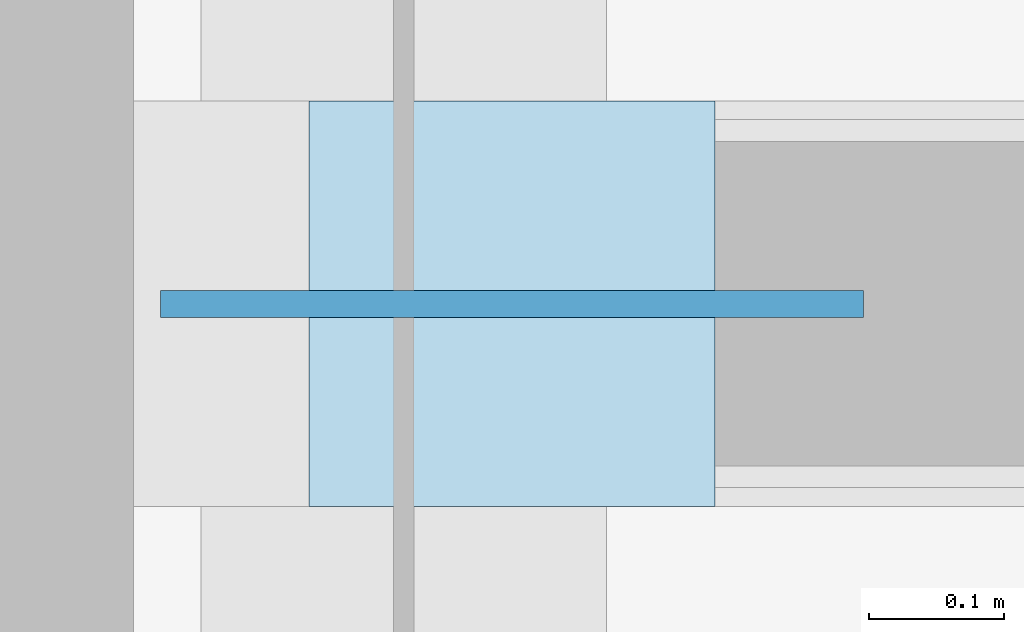
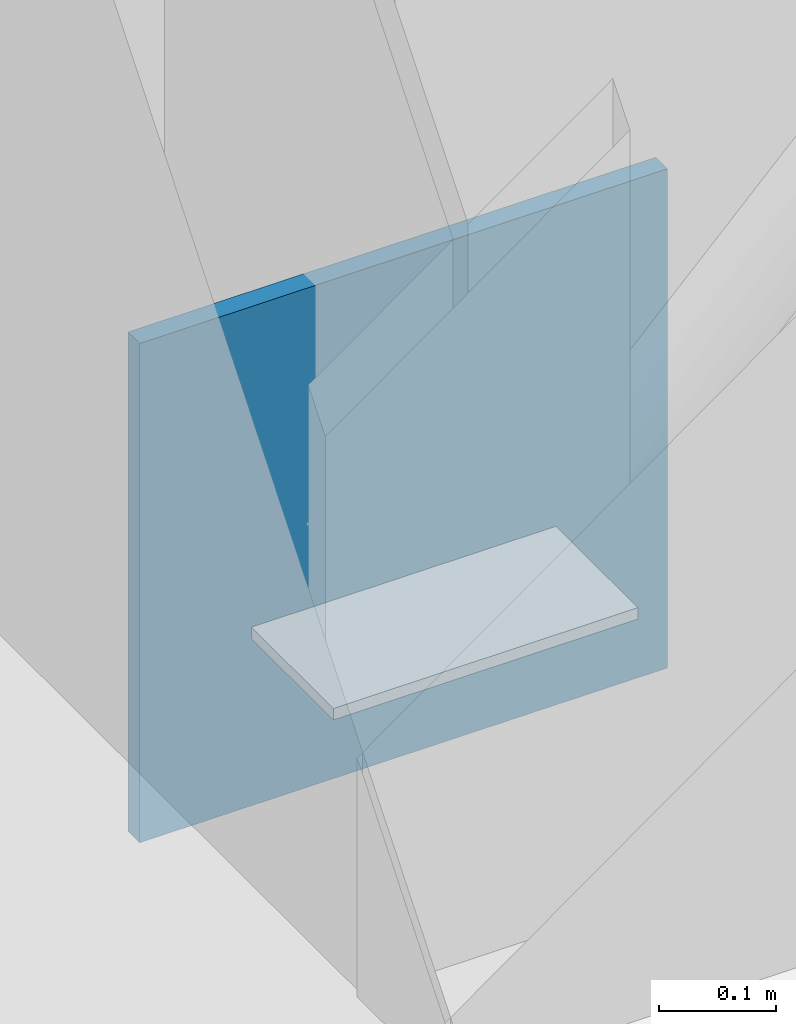
# One storey, part 111 of 143: 2 plates.
"""IFC4 building model written with IfcOpenShell, lengths in metres."""

from ifc_helpers import new_model, si_unit, direction, frame, origin, origin_2d, place, context, subcontext, project, spatial, rectangle, extrude, material, layer, layer_set, type_object, element, save


model = new_model("IFC4")

# Units and contexts
model_context = context("Model", 3, precision=1e-05, world=origin(), true_north=direction((0.0, 1.0)))
body_context = subcontext(model_context, "Body", "Model", "MODEL_VIEW")
ifc_project = project(units=[si_unit("LENGTHUNIT", "METRE"), si_unit("AREAUNIT", "SQUARE_METRE"), si_unit("VOLUMEUNIT", "CUBIC_METRE"), si_unit("PLANEANGLEUNIT", "RADIAN"), si_unit("MASSUNIT", "GRAM", prefix="KILO")], contexts=[model_context])

# Site, building, storey
site_placement = place(None, origin())
site = spatial("IfcSite", under=ifc_project, at=site_placement, CompositionType="ELEMENT")
building_placement = place(site_placement, origin())
building = spatial("IfcBuilding", under=site, at=building_placement, Name="Montelvaro Courts of Justice", CompositionType="ELEMENT")
storey_placement = place(building_placement, origin())
storey = spatial("IfcBuildingStorey", under=building, at=storey_placement, Name="L00", CompositionType="ELEMENT", Elevation=0.0)

# Plates
ifc_material = material(Name="Steel S355", Category="steel")
ifc_layer_1 = layer(ifc_material, 0.011962890625)
ifc_layer_set_1 = layer_set([ifc_layer_1], Name="Steel S355")
plate_type_1 = type_object("IfcPlateType", Name="EndCapPlate_12", PredefinedType="USERDEFINED", material=ifc_layer_set_1)
plate_1_placement = place(storey_placement, frame((63.080078125, 12.0, 0.07421875), z_axis=(0.0, 0.0, 1.0), x_axis=(1.0, 0.0, 0.0)))
element("IfcPlate", 1, at=plate_1_placement, inside=storey, type_object=plate_type_1, Name="Brace End Cap Plate CP-01 CBF1-L00-1A", ObjectType="GUSSET PLATE", PredefinedType="USERDEFINED", context=body_context, shape_type="SweptSolid", body=[
    extrude(rectangle(XDim=0.300048828125, YDim=0.300048828125, at=origin_2d()), origin(), (0.0, 0.0, 1.0), 0.011962890625),
])
ifc_layer_2 = layer(ifc_material, 0.02001953125)
ifc_layer_set_2 = layer_set([ifc_layer_2], Name="Steel S355")
plate_type_2 = type_object("IfcPlateType", Name="GussetPlate_20", PredefinedType="USERDEFINED", material=ifc_layer_set_2)
plate_2_placement = place(storey_placement, frame((63.080078125, 12.0, -0.10009765625), z_axis=(0.0, 0.0, 1.0), x_axis=(1.0, 0.0, 0.0)))
element("IfcPlate", 2, at=plate_2_placement, inside=storey, type_object=plate_type_2, Name="Chevron Brace Base Gusset Plate GP-01 CBF1-L00-B1", ObjectType="GUSSET PLATE", PredefinedType="USERDEFINED", context=body_context, shape_type="SweptSolid", body=[
    extrude(rectangle(XDim=0.52001953125, YDim=0.02001953125, at=origin_2d()), origin(), (0.0, 0.0, 1.0), 0.52001953125),
])

save(model, "model.ifc")
